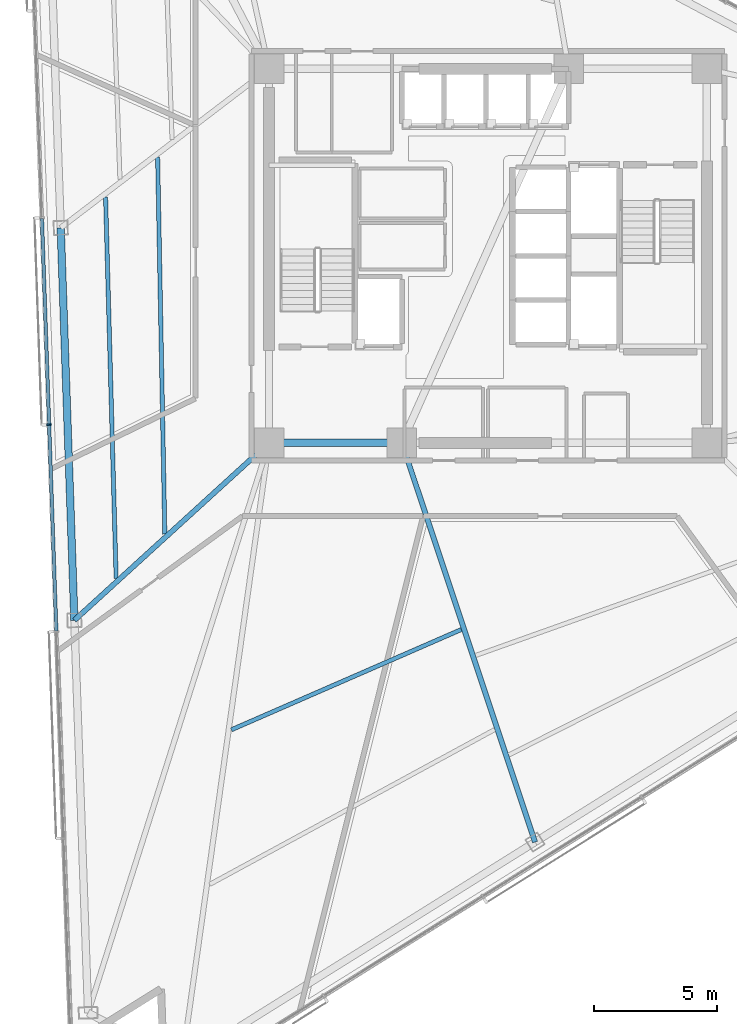
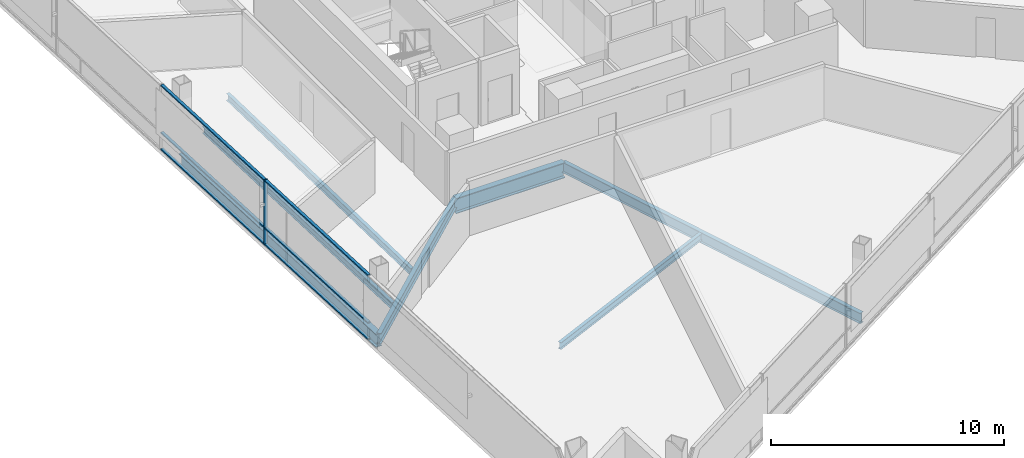
# One storey, part 4 of 21: 7 beams, 7 members, 1 element without a shape of its own.
"""IFC4 building model written with IfcOpenShell, lengths in metres."""

from ifc_helpers import new_model, si_unit, direction, frame, origin, origin_2d, place, context, subcontext, project, spatial, rectangle, i_section, extrude, material, layer, layer_set, material_profile, profile_set, type_object, element, aggregate, save


model = new_model("IFC4")

# Units and contexts
model_context = context("Model", 3, precision=1e-05, world=origin(), true_north=direction((0.0, 1.0)))
body_context = subcontext(model_context, "Body", "Model", "MODEL_VIEW")
ifc_project = project(units=[si_unit("LENGTHUNIT", "METRE"), si_unit("AREAUNIT", "SQUARE_METRE"), si_unit("VOLUMEUNIT", "CUBIC_METRE"), si_unit("PLANEANGLEUNIT", "RADIAN"), si_unit("MASSUNIT", "GRAM", prefix="KILO")], contexts=[model_context])

# Site, building, storey
site_placement = place(None, origin())
site = spatial("IfcSite", under=ifc_project, at=site_placement, CompositionType="ELEMENT")
building_placement = place(site_placement, origin())
building = spatial("IfcBuilding", under=site, at=building_placement, Name="Tharavind Bronze Gate", CompositionType="ELEMENT")
storey_placement = place(building_placement, frame((0.0, 0.0, 156.800048828125)))
storey = spatial("IfcBuildingStorey", under=building, at=storey_placement, Name="L40", CompositionType="ELEMENT", Elevation=156.800048828125)

# Curtain wall, members
ifc_material_1 = material(Name="Anodised Bronze Aluminium", Category="aluminium")
ifc_layer = layer(ifc_material_1, 0.219970703125)
ifc_layer_set = layer_set([ifc_layer], Name="Anodised Bronze Aluminium")
curtain_wall_type = type_object("IfcCurtainWallType", Name="UNITISED CURTAIN WALL MID OFFICE", PredefinedType="USERDEFINED", material=ifc_layer_set)
curtain_wall_placement = place(storey_placement, origin())
curtain_wall = element("IfcCurtainWall", 1, at=curtain_wall_placement, inside=storey, type_object=curtain_wall_type, Name="L40 unitised curtain wall mid office CW-L40-S1", ObjectType="UNITISED CURTAIN WALL", PredefinedType="USERDEFINED")
member_type_1 = type_object("IfcMemberType", Name="CURTAIN WALL BRONZE MULLION 65X180", PredefinedType="MULLION", material=ifc_material_1)
member_1_placement = place(storey_placement, frame((-17.8388671875, -6.86376953125, 0.0), z_axis=(0.0, 0.0, 1.0), x_axis=(0.034899496703, -0.999390827019, 0.0)))
member_1 = element("IfcMember", 2, at=member_1_placement, type_object=member_type_1, Name="CW-L40-S1 mullion 4", PredefinedType="MULLION", context=body_context, shape_type="SweptSolid", body=[
    extrude(rectangle(XDim=0.06494140625, YDim=0.179931640625, at=origin_2d()), origin(), (0.0, 0.0, 1.0), 3.409912109375),
])
member_type_2 = type_object("IfcMemberType", Name="CURTAIN WALL BRONZE TRANSOM 65X140", PredefinedType="USERDEFINED", material=ifc_material_1)
member_2_placement = place(storey_placement, frame((-17.985595703125, -2.6591796875, 0.0), z_axis=(0.0, 0.0, 1.0), x_axis=(0.034899496703, -0.999390827019, 0.0)))
member_2 = element("IfcMember", 3, at=member_2_placement, type_object=member_type_2, Name="CW-L40-S1 transom TB3", ObjectType="TRANSOM", PredefinedType="USERDEFINED", context=body_context, shape_type="SweptSolid", body=[
    extrude(rectangle(XDim=8.361572265625, YDim=0.139892578125, at=origin_2d()), origin(), (0.0, 0.0, 1.0), 0.06494140625),
])
member_3_placement = place(storey_placement, frame((-17.985595703125, -2.6591796875, 0.867431640625), z_axis=(0.0, 0.0, 1.0), x_axis=(0.034899496703, -0.999390827019, 0.0)))
member_3 = element("IfcMember", 4, at=member_3_placement, type_object=member_type_2, Name="CW-L40-S1 transom TS3", ObjectType="TRANSOM", PredefinedType="USERDEFINED", context=body_context, shape_type="SweptSolid", body=[
    extrude(rectangle(XDim=8.361572265625, YDim=0.139892578125, at=origin_2d()), origin(), (0.0, 0.0, 1.0), 0.06494140625),
])
member_4_placement = place(storey_placement, frame((-17.985595703125, -2.6591796875, 3.344970703125), z_axis=(0.0, 0.0, 1.0), x_axis=(0.034899496703, -0.999390827019, 0.0)))
member_4 = element("IfcMember", 5, at=member_4_placement, type_object=member_type_2, Name="CW-L40-S1 transom TT3", ObjectType="TRANSOM", PredefinedType="USERDEFINED", context=body_context, shape_type="SweptSolid", body=[
    extrude(rectangle(XDim=8.361572265625, YDim=0.139892578125, at=origin_2d()), origin(), (0.0, 0.0, 1.0), 0.06494140625),
])
member_5_placement = place(storey_placement, frame((-17.69189453125, -11.068603515625, 0.0), z_axis=(0.0, 0.0, 1.0), x_axis=(0.034899496703, -0.999390827019, 0.0)))
member_5 = element("IfcMember", 6, at=member_5_placement, type_object=member_type_2, Name="CW-L40-S1 transom TB4", ObjectType="TRANSOM", PredefinedType="USERDEFINED", context=body_context, shape_type="SweptSolid", body=[
    extrude(rectangle(XDim=8.361572265625, YDim=0.139892578125, at=origin_2d()), origin(), (0.0, 0.0, 1.0), 0.06494140625),
])
member_6_placement = place(storey_placement, frame((-17.69189453125, -11.068603515625, 0.867431640625), z_axis=(0.0, 0.0, 1.0), x_axis=(0.034899496703, -0.999390827019, 0.0)))
member_6 = element("IfcMember", 7, at=member_6_placement, type_object=member_type_2, Name="CW-L40-S1 transom TS4", ObjectType="TRANSOM", PredefinedType="USERDEFINED", context=body_context, shape_type="SweptSolid", body=[
    extrude(rectangle(XDim=8.361572265625, YDim=0.139892578125, at=origin_2d()), origin(), (0.0, 0.0, 1.0), 0.06494140625),
])
member_7_placement = place(storey_placement, frame((-17.69189453125, -11.068603515625, 3.344970703125), z_axis=(0.0, 0.0, 1.0), x_axis=(0.034899496703, -0.999390827019, 0.0)))
member_7 = element("IfcMember", 8, at=member_7_placement, type_object=member_type_2, Name="CW-L40-S1 transom TT4", ObjectType="TRANSOM", PredefinedType="USERDEFINED", context=body_context, shape_type="SweptSolid", body=[
    extrude(rectangle(XDim=8.361572265625, YDim=0.139892578125, at=origin_2d()), origin(), (0.0, 0.0, 1.0), 0.06494140625),
])
aggregate(curtain_wall, [member_1, member_2, member_3, member_4, member_5, member_6, member_7])

# Beams
ifc_material_2 = material(Name="Steel S355", Category="steel")
ifc_material_profile_1 = material_profile(ifc_material_2, i_section(OverallWidth=0.2099609375, OverallDepth=0.550048828125, WebThickness=0.010986328125, FlangeThickness=0.01708984375, at=origin_2d()), Name="IPE550")
ifc_profile_set_1 = profile_set([ifc_material_profile_1], Name="Steel S355")
beam_type_1 = type_object("IfcBeamType", Name="PRIMARY GIRDER IPE550", PredefinedType="USERDEFINED", material=ifc_profile_set_1)
beam_1_placement = place(storey_placement, frame((-16.810791015625, -14.814208984375, -0.465087890625), z_axis=(0.738898073341, 0.673817213503, 0.0), x_axis=(-0.673817213503, 0.738898073341, 0.0)))
element("IfcBeam", 9, at=beam_1_placement, inside=storey, type_object=beam_type_1, Name="L40 primary girder ipe550 BM-L40-RAD03", ObjectType="GIRDER", PredefinedType="USERDEFINED", context=body_context, shape_type="SweptSolid", body=[
    extrude(i_section(OverallWidth=0.2099609375, OverallDepth=0.550048828125, WebThickness=0.010986328125, FlangeThickness=0.01708984375, at=origin_2d()), origin(), (0.0, 0.0, 1.0), 10.706298828125),
])
beam_2_placement = place(storey_placement, frame((1.912353515625, -23.827880859375, -0.465087890625), z_axis=(-0.316390459334, 0.948629051444, 0.0), x_axis=(-0.948629051444, -0.316390459334, 0.0)))
element("IfcBeam", 10, at=beam_2_placement, inside=storey, type_object=beam_type_1, Name="L40 primary girder ipe550 BM-L40-RAD06", ObjectType="GIRDER", PredefinedType="USERDEFINED", context=body_context, shape_type="SweptSolid", body=[
    extrude(i_section(OverallWidth=0.2099609375, OverallDepth=0.550048828125, WebThickness=0.010986328125, FlangeThickness=0.01708984375, at=origin_2d()), origin(), (0.0, 0.0, 1.0), 17.1064453125),
])
ifc_material_profile_2 = material_profile(ifc_material_2, i_section(OverallWidth=0.300048828125, OverallDepth=0.699951171875, WebThickness=0.01708984375, FlangeThickness=0.031982421875, at=origin_2d()), Name="HE700B")
ifc_profile_set_2 = profile_set([ifc_material_profile_2], Name="Steel S355")
beam_type_2 = type_object("IfcBeamType", Name="RING GIRDER HE700B", PredefinedType="USERDEFINED", material=ifc_profile_set_2)
beam_3_placement = place(storey_placement, frame((-17.367919921875, 1.138916015625, -0.5400390625), z_axis=(0.03490159311, -0.999390753809, 0.0), x_axis=(0.999390753809, 0.03490159311, 0.0)))
element("IfcBeam", 11, at=beam_3_placement, inside=storey, type_object=beam_type_2, Name="L40 ring girder he700b BM-L40-PRG02", ObjectType="GIRDER", PredefinedType="USERDEFINED", context=body_context, shape_type="SweptSolid", body=[
    extrude(i_section(OverallWidth=0.300048828125, OverallDepth=0.699951171875, WebThickness=0.01708984375, FlangeThickness=0.031982421875, at=origin_2d()), origin(), (0.0, 0.0, 1.0), 15.962890625),
])
ifc_material_profile_3 = material_profile(ifc_material_2, i_section(OverallWidth=0.300048828125, OverallDepth=0.800048828125, WebThickness=0.017578125, FlangeThickness=0.032958984375, at=origin_2d()), Name="HE800B")
ifc_profile_set_3 = profile_set([ifc_material_profile_3], Name="Steel S355")
beam_type_3 = type_object("IfcBeamType", Name="RING GIRDER HE800B", PredefinedType="USERDEFINED", material=ifc_profile_set_3)
beam_4_placement = place(storey_placement, frame((-8.89990234375, -7.60009765625, -0.590087890625), z_axis=(1.0, 0.0, 0.0), x_axis=(0.0, 1.0, 0.0)))
element("IfcBeam", 12, at=beam_4_placement, inside=storey, type_object=beam_type_3, Name="L40 ring girder he800b BM-L40-CR1", ObjectType="GIRDER", PredefinedType="USERDEFINED", context=body_context, shape_type="SweptSolid", body=[
    extrude(i_section(OverallWidth=0.300048828125, OverallDepth=0.800048828125, WebThickness=0.017578125, FlangeThickness=0.032958984375, at=origin_2d()), origin(), (0.0, 0.0, 1.0), 5.39990234375),
])
ifc_material_profile_4 = material_profile(ifc_material_2, i_section(OverallWidth=0.169921875, OverallDepth=0.360107421875, WebThickness=0.008056640625, FlangeThickness=0.0126953125, at=origin_2d()), Name="IPE360")
ifc_profile_set_4 = profile_set([ifc_material_profile_4], Name="Steel S355")
beam_type_4 = type_object("IfcBeamType", Name="SECONDARY FLOOR JOIST IPE360", PredefinedType="JOIST", material=ifc_profile_set_4)
beam_5_placement = place(storey_placement, frame((-13.427734375, 4.00927734375, -0.3701171875), z_axis=(0.019097389541, -0.999817628227, 0.0), x_axis=(0.999817628227, 0.019097389541, 0.0)))
element("IfcBeam", 13, at=beam_5_placement, inside=storey, type_object=beam_type_4, Name="L40 secondary floor joist ipe360 BM-L40-JSTA02", PredefinedType="JOIST", context=body_context, shape_type="SweptSolid", body=[
    extrude(i_section(OverallWidth=0.169921875, OverallDepth=0.360107421875, WebThickness=0.008056640625, FlangeThickness=0.0126953125, at=origin_2d()), origin(), (0.0, 0.0, 1.0), 15.327880859375),
])
beam_6_placement = place(storey_placement, frame((-15.54345703125, 2.394775390625, -0.3701171875), z_axis=(0.027683678479, -0.999616733526, 0.0), x_axis=(0.999616733526, 0.027683678479, 0.0)))
element("IfcBeam", 14, at=beam_6_placement, inside=storey, type_object=beam_type_4, Name="L40 secondary floor joist ipe360 BM-L40-JSTB02", PredefinedType="JOIST", context=body_context, shape_type="SweptSolid", body=[
    extrude(i_section(OverallWidth=0.169921875, OverallDepth=0.360107421875, WebThickness=0.008056640625, FlangeThickness=0.0126953125, at=origin_2d()), origin(), (0.0, 0.0, 1.0), 15.521240234375),
])
beam_7_placement = place(storey_placement, frame((-10.42919921875, -19.26513671875, -0.3701171875), z_axis=(0.916635905252, 0.399723175715, 0.0), x_axis=(-0.399723175715, 0.916635905252, 0.0)))
element("IfcBeam", 15, at=beam_7_placement, inside=storey, type_object=beam_type_4, Name="L40 secondary floor joist ipe360 BM-L40-JSTA05", PredefinedType="JOIST", context=body_context, shape_type="SweptSolid", body=[
    extrude(i_section(OverallWidth=0.169921875, OverallDepth=0.360107421875, WebThickness=0.008056640625, FlangeThickness=0.0126953125, at=origin_2d()), origin(), (0.0, 0.0, 1.0), 10.195556640625),
])

save(model, "model.ifc")
